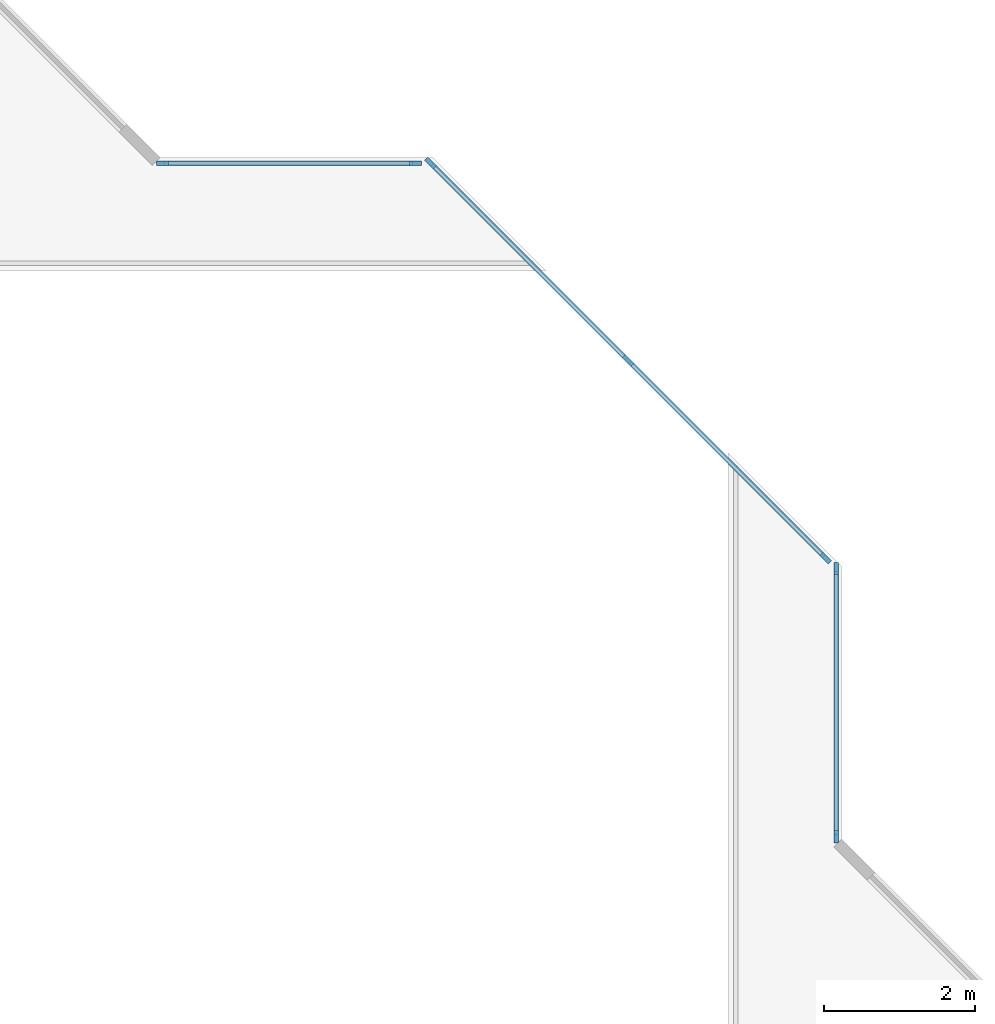
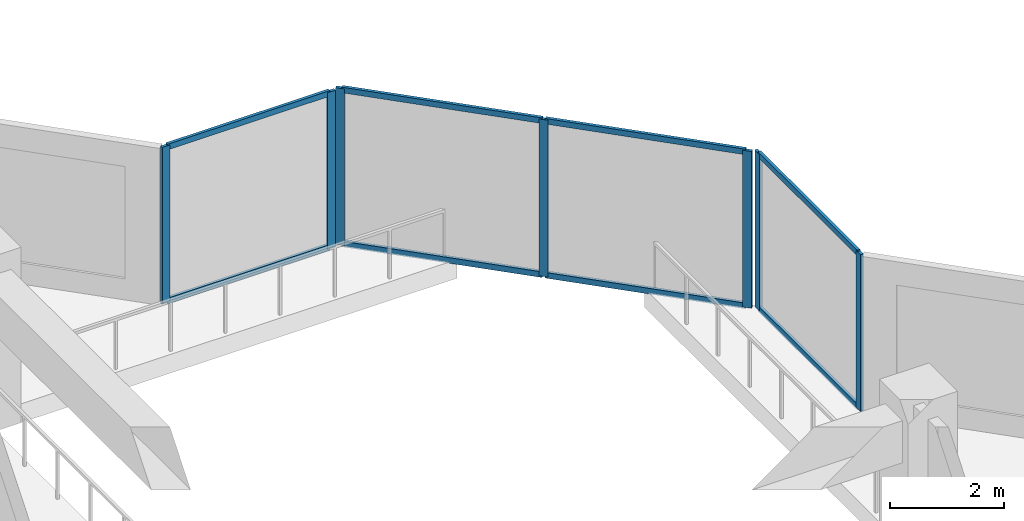
# One storey, part 2 of 15: 15 members, 3 elements without a shape of their own.
"""IFC4 building model written with IfcOpenShell, lengths in metres."""

from ifc_helpers import new_model, si_unit, direction, frame, origin, origin_2d, place, context, subcontext, project, spatial, rectangle, extrude, material, layer, layer_set, material_profile, profile_set, type_object, element, aggregate, save


model = new_model("IFC4")

# Units and contexts
model_context = context("Model", 3, precision=1e-05, world=origin(), true_north=direction((0.0, 1.0)))
body_context = subcontext(model_context, "Body", "Model", "MODEL_VIEW")
ifc_project = project(units=[si_unit("LENGTHUNIT", "METRE"), si_unit("AREAUNIT", "SQUARE_METRE"), si_unit("VOLUMEUNIT", "CUBIC_METRE"), si_unit("PLANEANGLEUNIT", "RADIAN"), si_unit("MASSUNIT", "GRAM", prefix="KILO")], contexts=[model_context])

# Site, building, storey
site_placement = place(None, origin())
site = spatial("IfcSite", under=ifc_project, at=site_placement, CompositionType="ELEMENT")
building_placement = place(site_placement, origin())
building = spatial("IfcBuilding", under=site, at=building_placement, Name="Chenar Terraces", CompositionType="ELEMENT")
storey_placement = place(building_placement, frame((0.0, 0.0, 118.14990234375)))
storey = spatial("IfcBuildingStorey", under=building, at=storey_placement, Name="L27", CompositionType="ELEMENT", Elevation=118.14990234375)

# Curtain wall, members
ifc_material_1 = material(Name="Aluminium framed glazing", Category="aluminium")
ifc_layer = layer(ifc_material_1, 0.14990234375)
ifc_layer_set = layer_set([ifc_layer], Name="Aluminium framed glazing")
curtain_wall_type = type_object("IfcCurtainWallType", Name="Atrium curtain wall", PredefinedType="NOTDEFINED", material=ifc_layer_set)
placement = place(storey_placement, origin())
curtain_wall_1 = element("IfcCurtainWall", 1, at=placement, inside=storey, type_object=curtain_wall_type, Name="Atrium curtain wall", PredefinedType="NOTDEFINED")
ifc_material_2 = material(Name="Aluminium", Category="aluminium")
ifc_material_profile_1 = material_profile(ifc_material_2, rectangle(XDim=0.06005859375, YDim=0.159912109375, at=origin_2d()), Name="Atrium glazing mullion 60 x 160")
ifc_profile_set_1 = profile_set([ifc_material_profile_1], Name="Aluminium")
member_type_1 = type_object("IfcMemberType", Name="Atrium glazing mullion 60 x 160", PredefinedType="MULLION", material=ifc_profile_set_1)
member_1_placement = place(storey_placement, frame((37.425048828125, 28.530029296875, 0.0), z_axis=(0.0, 0.0, 1.0), x_axis=(-1.0, 0.0, 0.0)))
member_1 = element("IfcMember", 2, at=member_1_placement, type_object=member_type_1, Name="CW1-1 mullion 1", PredefinedType="MULLION", context=body_context, shape_type="SweptSolid", body=[
    extrude(rectangle(XDim=0.06005859375, YDim=0.159912109375, at=origin_2d()), origin(), (0.0, 0.0, 1.0), 3.35009765625),
])
member_2_placement = place(storey_placement, frame((37.425048828125, 32.070068359375, 0.0), z_axis=(0.0, 0.0, 1.0), x_axis=(-1.0, 0.0, 0.0)))
member_2 = element("IfcMember", 3, at=member_2_placement, type_object=member_type_1, Name="CW1-1 mullion 2", PredefinedType="MULLION", context=body_context, shape_type="SweptSolid", body=[
    extrude(rectangle(XDim=0.06005859375, YDim=0.159912109375, at=origin_2d()), origin(), (0.0, 0.0, 1.0), 3.35009765625),
])

curtain_wall_2 = element("IfcCurtainWall", 4, at=placement, inside=storey, type_object=curtain_wall_type, Name="Atrium curtain wall", PredefinedType="NOTDEFINED")
member_3_placement = place(storey_placement, frame((37.284423828125, 32.209716796875, 0.0), z_axis=(0.0, 0.0, 1.0), x_axis=(-0.707106781187, -0.707106781187, 0.0)))
member_3 = element("IfcMember", 5, at=member_3_placement, type_object=member_type_1, Name="CW1-2 mullion 1", PredefinedType="MULLION", context=body_context, shape_type="SweptSolid", body=[
    extrude(rectangle(XDim=0.06005859375, YDim=0.159912109375, at=origin_2d()), origin(), (0.0, 0.0, 1.0), 3.35009765625),
])
member_4_placement = place(storey_placement, frame((34.67626953125, 34.817626953125, 0.0), z_axis=(0.0, 0.0, 1.0), x_axis=(-0.707106781187, -0.707106781187, 0.0)))
member_4 = element("IfcMember", 6, at=member_4_placement, type_object=member_type_1, Name="CW1-2 mullion 2", PredefinedType="MULLION", context=body_context, shape_type="SweptSolid", body=[
    extrude(rectangle(XDim=0.06005859375, YDim=0.159912109375, at=origin_2d()), origin(), (0.0, 0.0, 1.0), 3.35009765625),
])
member_5_placement = place(storey_placement, frame((32.068115234375, 37.42578125, 0.0), z_axis=(0.0, 0.0, 1.0), x_axis=(-0.707106781187, -0.707106781187, 0.0)))
member_5 = element("IfcMember", 7, at=member_5_placement, type_object=member_type_1, Name="CW1-2 mullion 3", PredefinedType="MULLION", context=body_context, shape_type="SweptSolid", body=[
    extrude(rectangle(XDim=0.06005859375, YDim=0.159912109375, at=origin_2d()), origin(), (0.0, 0.0, 1.0), 3.35009765625),
])

curtain_wall_3 = element("IfcCurtainWall", 8, at=placement, inside=storey, type_object=curtain_wall_type, Name="Atrium curtain wall", PredefinedType="NOTDEFINED")
member_6_placement = place(storey_placement, frame((31.8701171875, 37.425048828125, 0.0), z_axis=(0.0, 0.0, 1.0), x_axis=(0.0, -1.0, 0.0)))
member_6 = element("IfcMember", 9, at=member_6_placement, type_object=member_type_1, Name="CW1-3 mullion 1", PredefinedType="MULLION", context=body_context, shape_type="SweptSolid", body=[
    extrude(rectangle(XDim=0.06005859375, YDim=0.159912109375, at=origin_2d()), origin(), (0.0, 0.0, 1.0), 3.35009765625),
])
member_7_placement = place(storey_placement, frame((28.530029296875, 37.425048828125, 0.0), z_axis=(0.0, 0.0, 1.0), x_axis=(0.0, -1.0, 0.0)))
member_7 = element("IfcMember", 10, at=member_7_placement, type_object=member_type_1, Name="CW1-3 mullion 2", PredefinedType="MULLION", context=body_context, shape_type="SweptSolid", body=[
    extrude(rectangle(XDim=0.06005859375, YDim=0.159912109375, at=origin_2d()), origin(), (0.0, 0.0, 1.0), 3.35009765625),
])

# Member
ifc_material_3 = material(Name="Aluminium", Category="aluminium")
ifc_material_profile_2 = material_profile(ifc_material_3, rectangle(XDim=0.06005859375, YDim=0.1201171875, at=origin_2d()), Name="Atrium glazing transom 60 x 120")
ifc_profile_set_2 = profile_set([ifc_material_profile_2], Name="Aluminium")
member_type_2 = type_object("IfcMemberType", Name="Atrium glazing transom 60 x 120", PredefinedType="USERDEFINED", material=ifc_profile_set_2)
member_8_placement = place(storey_placement, frame((37.425048828125, 28.56005859375, 0.030029296875), z_axis=(0.0, 1.0, 0.0), x_axis=(-1.0, 0.0, 0.0)))
member_8 = element("IfcMember", 11, at=member_8_placement, type_object=member_type_2, Name="CW1-1 transom 1.1", ObjectType="TRANSOM", PredefinedType="USERDEFINED", context=body_context, shape_type="SweptSolid", body=[
    extrude(rectangle(XDim=0.06005859375, YDim=0.1201171875, at=origin_2d()), origin(), (0.0, 0.0, 1.0), 3.47998046875),
])

member_9_placement = place(storey_placement, frame((37.425048828125, 28.56005859375, 3.320068359375), z_axis=(0.0, 1.0, 0.0), x_axis=(-1.0, 0.0, 0.0)))
member_9 = element("IfcMember", 12, at=member_9_placement, type_object=member_type_2, Name="CW1-1 transom 1.2", ObjectType="TRANSOM", PredefinedType="USERDEFINED", context=body_context, shape_type="SweptSolid", body=[
    extrude(rectangle(XDim=0.06005859375, YDim=0.1201171875, at=origin_2d()), origin(), (0.0, 0.0, 1.0), 3.47998046875),
])

aggregate(curtain_wall_1, [member_1, member_2, member_8, member_9])

member_10_placement = place(storey_placement, frame((37.26318359375, 32.230712890625, 0.030029296875), z_axis=(-0.707106781187, 0.707106781187, 0.0), x_axis=(-0.707106781187, -0.707106781187, 0.0)))
member_10 = element("IfcMember", 13, at=member_10_placement, type_object=member_type_2, Name="CW1-2 transom 1.1", ObjectType="TRANSOM", PredefinedType="USERDEFINED", context=body_context, shape_type="SweptSolid", body=[
    extrude(rectangle(XDim=0.06005859375, YDim=0.1201171875, at=origin_2d()), origin(), (0.0, 0.0, 1.0), 3.62841796875),
])

member_11_placement = place(storey_placement, frame((37.26318359375, 32.230712890625, 3.320068359375), z_axis=(-0.707106781187, 0.707106781187, 0.0), x_axis=(-0.707106781187, -0.707106781187, 0.0)))
member_11 = element("IfcMember", 14, at=member_11_placement, type_object=member_type_2, Name="CW1-2 transom 1.2", ObjectType="TRANSOM", PredefinedType="USERDEFINED", context=body_context, shape_type="SweptSolid", body=[
    extrude(rectangle(XDim=0.06005859375, YDim=0.1201171875, at=origin_2d()), origin(), (0.0, 0.0, 1.0), 3.62841796875),
])

member_12_placement = place(storey_placement, frame((34.655029296875, 34.8388671875, 0.030029296875), z_axis=(-0.707106781187, 0.707106781187, 0.0), x_axis=(-0.707106781187, -0.707106781187, 0.0)))
member_12 = element("IfcMember", 15, at=member_12_placement, type_object=member_type_2, Name="CW1-2 transom 2.1", ObjectType="TRANSOM", PredefinedType="USERDEFINED", context=body_context, shape_type="SweptSolid", body=[
    extrude(rectangle(XDim=0.06005859375, YDim=0.1201171875, at=origin_2d()), origin(), (0.0, 0.0, 1.0), 3.62841796875),
])

member_13_placement = place(storey_placement, frame((34.655029296875, 34.8388671875, 3.320068359375), z_axis=(-0.707106781187, 0.707106781187, 0.0), x_axis=(-0.707106781187, -0.707106781187, 0.0)))
member_13 = element("IfcMember", 16, at=member_13_placement, type_object=member_type_2, Name="CW1-2 transom 2.2", ObjectType="TRANSOM", PredefinedType="USERDEFINED", context=body_context, shape_type="SweptSolid", body=[
    extrude(rectangle(XDim=0.06005859375, YDim=0.1201171875, at=origin_2d()), origin(), (0.0, 0.0, 1.0), 3.62841796875),
])

aggregate(curtain_wall_2, [member_3, member_4, member_5, member_10, member_11, member_12, member_13])

member_14_placement = place(storey_placement, frame((31.840087890625, 37.425048828125, 0.030029296875), z_axis=(-1.0, 0.0, 0.0), x_axis=(0.0, -1.0, 0.0)))
member_14 = element("IfcMember", 17, at=member_14_placement, type_object=member_type_2, Name="CW1-3 transom 1.1", ObjectType="TRANSOM", PredefinedType="USERDEFINED", context=body_context, shape_type="SweptSolid", body=[
    extrude(rectangle(XDim=0.06005859375, YDim=0.1201171875, at=origin_2d()), origin(), (0.0, 0.0, 1.0), 3.280029296875),
])

member_15_placement = place(storey_placement, frame((31.840087890625, 37.425048828125, 3.320068359375), z_axis=(-1.0, 0.0, 0.0), x_axis=(0.0, -1.0, 0.0)))
member_15 = element("IfcMember", 18, at=member_15_placement, type_object=member_type_2, Name="CW1-3 transom 1.2", ObjectType="TRANSOM", PredefinedType="USERDEFINED", context=body_context, shape_type="SweptSolid", body=[
    extrude(rectangle(XDim=0.06005859375, YDim=0.1201171875, at=origin_2d()), origin(), (0.0, 0.0, 1.0), 3.280029296875),
])

aggregate(curtain_wall_3, [member_6, member_7, member_14, member_15])

save(model, "model.ifc")
